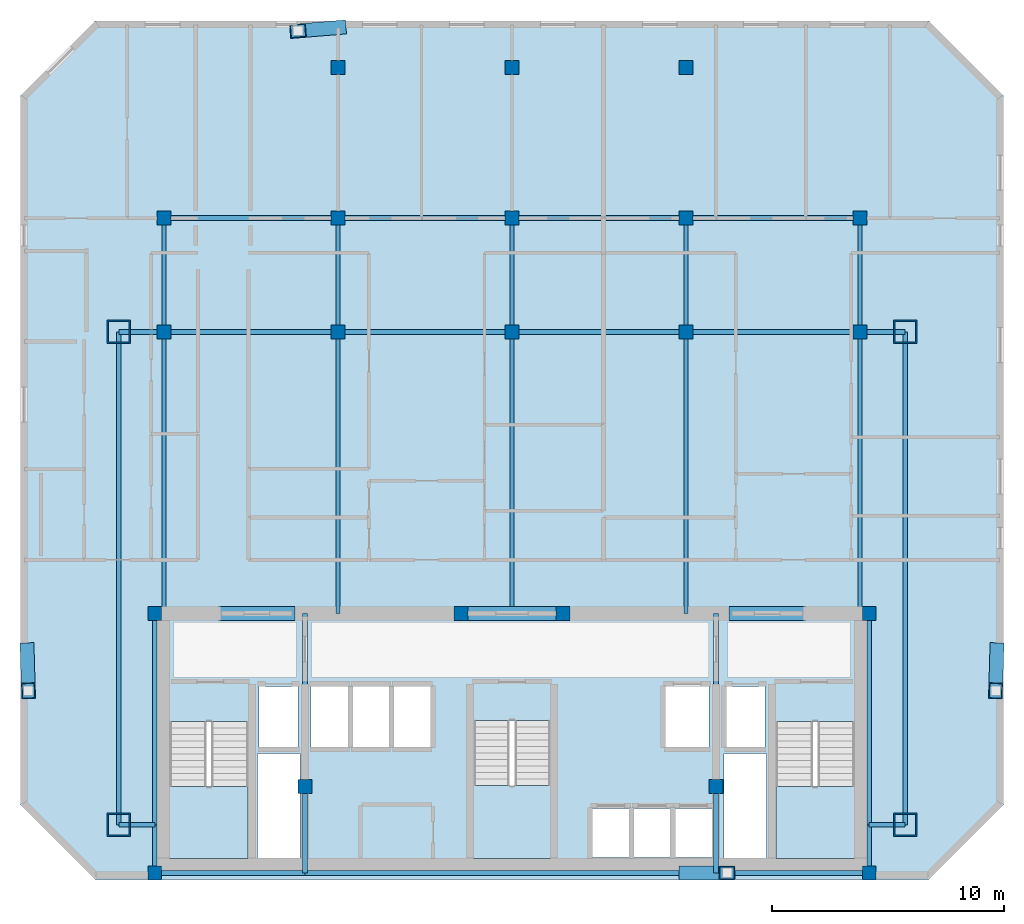
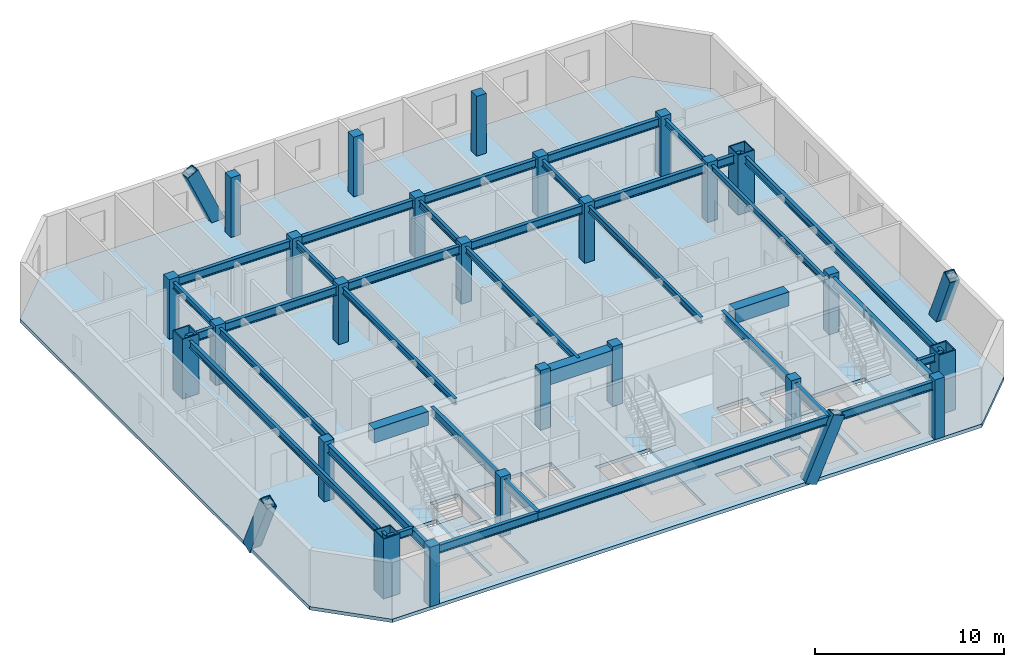
# One storey, part 1 of 7: 38 beams, 25 columns, 4 members, 4 slabs, 3 elements without a shape of their own.
"""IFC4 building model written with IfcOpenShell, lengths in metres."""

import ifcopenshell
import ifcopenshell.guid

model = None  # the IFC model being written
_history = None  # IfcOwnerHistory: only IFC2X3 demands one
_inside = {}  # id of a spatial element -> (the spatial element, [elements in it])
_under = {}  # id of a project, library or spatial element -> (it, [spatial elements below it])
_declared = {}  # id of a project -> (the project, [libraries it declares])
_typed = {}  # id of a type object -> (the type object, [elements of that type])
_made_of = {}  # id of a material, layer set ... -> (it, [elements and type objects made of it])


def new_model(schema):
    """Start an empty IFC model of exactly this schema.

    Asked for "IFC4X3", IfcOpenShell would pick the latest addendum, in which some entities
    have other attributes; the version numbers below select the first issue.
    IFC2X3 requires an IfcOwnerHistory on every rooted entity: one is made here for all.
    """
    global model, _history
    if schema == "IFC4X3":
        model = ifcopenshell.file(schema_version=(4, 3, 0, 0))
    else:
        model = ifcopenshell.file(schema=schema)
    _inside.clear()
    _under.clear()
    _declared.clear()
    _typed.clear()
    _made_of.clear()
    _history = None
    if model.schema == "IFC2X3":
        org = make("IfcOrganization", Name="unknown")
        user = make(
            "IfcPersonAndOrganization",
            ThePerson=make("IfcPerson", FamilyName="unknown"),
            TheOrganization=org,
        )
        app = make(
            "IfcApplication",
            ApplicationDeveloper=org,
            Version="unknown",
            ApplicationFullName="unknown",
            ApplicationIdentifier="unknown",
        )
        _history = make(
            "IfcOwnerHistory",
            OwningUser=user,
            OwningApplication=app,
            ChangeAction="ADDED",
            CreationDate=0,
        )
    return model


def make(cls, **values):
    """One entity of the class cls with the attributes given. An attribute that is None is left unset."""
    return model.create_entity(
        cls, **{name: value for name, value in values.items() if value is not None}
    )


def rooted(cls, **values):
    """An entity with a GlobalId (a new one), such as an element, a storey or a relation."""
    return make(cls, GlobalId=ifcopenshell.guid.new(), OwnerHistory=_history, **values)


def si_unit(unit_type, name, prefix=None):
    """IfcSIUnit, for example si_unit("LENGTHUNIT", "METRE", prefix="MILLI")."""
    return make("IfcSIUnit", UnitType=unit_type, Prefix=prefix, Name=name)


def assignment(units):
    """IfcUnitAssignment: the units of a project."""
    return None if units is None else make("IfcUnitAssignment", Units=units)


def point(xyz):
    """IfcCartesianPoint."""
    return None if xyz is None else make("IfcCartesianPoint", Coordinates=xyz)


def direction(xyz):
    """IfcDirection."""
    return None if xyz is None else make("IfcDirection", DirectionRatios=xyz)


def frame(location, z_axis=None, x_axis=None):
    """IfcAxis2Placement3D, a coordinate frame: its origin and axes. An axis left out is left unset."""
    return make(
        "IfcAxis2Placement3D",
        Location=point(location),
        Axis=direction(z_axis),
        RefDirection=direction(x_axis),
    )


def frame_2d(location, x_axis=None):
    """IfcAxis2Placement2D, a coordinate frame in the plane: its origin and x axis."""
    return make(
        "IfcAxis2Placement2D", Location=point(location), RefDirection=direction(x_axis)
    )


def origin():
    """The frame at (0, 0, 0) with its axes left unset."""
    return frame((0.0, 0.0, 0.0))


def origin_2d():
    """The frame at (0, 0) in the plane with its x axis left unset."""
    return frame_2d((0.0, 0.0))


def place(relative_to, where):
    """IfcLocalPlacement: puts the frame where relative to a parent placement (None: the world)."""
    return make(
        "IfcLocalPlacement", PlacementRelTo=relative_to, RelativePlacement=where
    )


def context(
    kind, dimensions, precision=None, world=None, true_north=None, identifier=None
):
    """IfcGeometricRepresentationContext, for example the 3D "Model" context."""
    return make(
        "IfcGeometricRepresentationContext",
        ContextIdentifier=identifier,
        ContextType=kind,
        CoordinateSpaceDimension=dimensions,
        Precision=precision,
        WorldCoordinateSystem=world,
        TrueNorth=true_north,
    )


def subcontext(parent, identifier, kind, view, scale=None):
    """IfcGeometricRepresentationSubContext, for example "Body" below "Model"."""
    return make(
        "IfcGeometricRepresentationSubContext",
        ContextIdentifier=identifier,
        ContextType=kind,
        ParentContext=parent,
        TargetScale=scale,
        TargetView=view,
    )


def project(units=None, contexts=None):
    """IfcProject with its units and contexts."""
    return rooted(
        "IfcProject",
        Name="project",
        RepresentationContexts=contexts,
        UnitsInContext=assignment(units),
    )


def spatial(cls, under=None, at=None, **own):
    """A site, building, storey or space (cls), placed at a placement, below another one or the project."""
    s = rooted(cls, ObjectPlacement=at, **own)
    if under is not None:
        _under.setdefault(under.id(), (under, []))[1].append(s)
    return s


def polyline(points):
    """IfcPolyline through the points."""
    return make("IfcPolyline", Points=[point(p) for p in points])


def profile(cls, at=None, kind="AREA", **sizes):
    """A parametric profile (cls). Its sizes go by their IFC names, for example OverallWidth=200.0."""
    return make(cls, ProfileType=kind, Position=at, **sizes)


def rectangle(**sizes):
    """IfcRectangleProfileDef."""
    return profile("IfcRectangleProfileDef", **sizes)


def hollow_rectangle(**sizes):
    """IfcRectangleHollowProfileDef."""
    return profile("IfcRectangleHollowProfileDef", **sizes)


def i_section(**sizes):
    """IfcIShapeProfileDef."""
    return profile("IfcIShapeProfileDef", **sizes)


def outline(outer, holes=None, kind="AREA"):
    """IfcArbitraryClosedProfileDef: a profile drawn as a closed curve; with holes, ...WithVoids."""
    if holes is None:
        return make("IfcArbitraryClosedProfileDef", ProfileType=kind, OuterCurve=outer)
    return make(
        "IfcArbitraryProfileDefWithVoids",
        ProfileType=kind,
        OuterCurve=outer,
        InnerCurves=holes,
    )


def extrude(swept, where, along, depth):
    """IfcExtrudedAreaSolid: the profile swept, set in the frame where, extruded along a direction by depth."""
    return make(
        "IfcExtrudedAreaSolid",
        SweptArea=swept,
        Position=where,
        ExtrudedDirection=direction(along),
        Depth=depth,
    )


def shape(context_of_items, identifier, shape_type, items):
    """IfcShapeRepresentation: the items that make up one representation, for example the "Body"."""
    return make(
        "IfcShapeRepresentation",
        ContextOfItems=context_of_items,
        RepresentationIdentifier=identifier,
        RepresentationType=shape_type,
        Items=items,
    )


def material(Name=None, Category=None):
    """IfcMaterial."""
    return make("IfcMaterial", Name=Name, Category=Category)


def layer(
    of_material, thickness, ventilated=None, Name=None, Category=None, Priority=None
):
    """IfcMaterialLayer: one layer of a wall or slab, of a material (None: an air gap)."""
    return make(
        "IfcMaterialLayer",
        Material=of_material,
        LayerThickness=thickness,
        IsVentilated=ventilated,
        Name=Name,
        Category=Category,
        Priority=Priority,
    )


def layer_set(layers, Name=None):
    """IfcMaterialLayerSet."""
    return make("IfcMaterialLayerSet", MaterialLayers=layers, LayerSetName=Name)


def material_profile(
    of_material, cross_section, Name=None, Category=None, Priority=None
):
    """IfcMaterialProfile: a cross section and its material."""
    return make(
        "IfcMaterialProfile",
        Name=Name,
        Material=of_material,
        Profile=cross_section,
        Priority=Priority,
        Category=Category,
    )


def profile_set(profiles, Name=None, composite=None):
    """IfcMaterialProfileSet."""
    return make(
        "IfcMaterialProfileSet",
        Name=Name,
        MaterialProfiles=profiles,
        CompositeProfile=composite,
    )


def made_of(thing, what):
    """Note that an element or type object is made of a material, layer set ...; save() writes the relation."""
    if what is not None:
        _made_of.setdefault(what.id(), (what, []))[1].append(thing)
    return thing


def type_object(cls, material=None, **own):
    """A type object (cls), such as IfcWallType, which elements share."""
    return made_of(rooted(cls, **own), material)


def element(
    cls,
    number,
    at=None,
    inside=None,
    cuts=None,
    type_object=None,
    material=None,
    context=None,
    identifier="Body",
    shape_type=None,
    held_by="IfcProductDefinitionShape",
    body=None,
    shapes=None,
    **own,
):
    """One element of the class cls, such as IfcWall. Its Tag is "e" and its number.

    at: its placement. inside: the storey or other place that contains it. cuts: it is an
    opening in that element (IfcRelVoidsElement). A single representation is given by context,
    identifier, shape_type and body (its items); several are given by shapes. held_by: the class
    of the entity that holds the representations. save() writes the other relations.
    """
    e = rooted(cls, Tag="e%d" % number, ObjectPlacement=at, **own)
    if body is not None:
        shapes = [shape(context, identifier, shape_type, body)]
    if shapes is not None:
        e.Representation = make(held_by, Representations=shapes)
    if inside is not None:
        _inside.setdefault(inside.id(), (inside, []))[1].append(e)
    if cuts is not None:
        rooted(
            "IfcRelVoidsElement", RelatingBuildingElement=cuts, RelatedOpeningElement=e
        )
    if type_object is not None:
        _typed.setdefault(type_object.id(), (type_object, []))[1].append(e)
    return made_of(e, material)


def aggregate(whole, parts):
    """IfcRelAggregates: a whole, such as a stair, and the parts it consists of."""
    return rooted("IfcRelAggregates", RelatingObject=whole, RelatedObjects=parts)


def save(model, path):
    """Write the relations noted so far, then the file.

    IfcRelAggregates (storeys below a building ...), IfcRelContainedInSpatialStructure (elements
    in a storey), IfcRelDefinesByType, IfcRelAssociatesMaterial and IfcRelDeclares: one each for
    every whole, place, type object, material and project.
    """
    for whole, parts in _under.values():
        aggregate(whole, parts)
    for where, things in _inside.values():
        rooted(
            "IfcRelContainedInSpatialStructure",
            RelatedElements=things,
            RelatingStructure=where,
        )
    for kind, things in _typed.values():
        rooted("IfcRelDefinesByType", RelatedObjects=things, RelatingType=kind)
    for what, things in _made_of.values():
        rooted("IfcRelAssociatesMaterial", RelatedObjects=things, RelatingMaterial=what)
    for by, libraries in _declared.values():
        rooted("IfcRelDeclares", RelatingContext=by, RelatedDefinitions=libraries)
    model.write(path)


model = new_model("IFC4")

# Units and contexts
model_context = context("Model", 3, precision=1e-05, world=origin(), true_north=direction((0.0, 1.0)))
body_context = subcontext(model_context, "Body", "Model", "MODEL_VIEW")
ifc_project = project(units=[si_unit("LENGTHUNIT", "METRE"), si_unit("AREAUNIT", "SQUARE_METRE"), si_unit("VOLUMEUNIT", "CUBIC_METRE"), si_unit("PLANEANGLEUNIT", "RADIAN"), si_unit("MASSUNIT", "GRAM", prefix="KILO")], contexts=[model_context])

# Site, building, storey
site_placement = place(None, origin())
site = spatial("IfcSite", under=ifc_project, at=site_placement, CompositionType="ELEMENT")
building_placement = place(site_placement, origin())
building = spatial("IfcBuilding", under=site, at=building_placement, Name="Ventersveld Concourse Tower", CompositionType="ELEMENT")
storey_placement = place(building_placement, frame((0.0, 0.0, 234.949951171875)))
storey = spatial("IfcBuildingStorey", under=building, at=storey_placement, Name="L58", CompositionType="ELEMENT", Elevation=234.949951171875)

# Columns
ifc_material_1 = material(Name="Concrete C50/60", Category="concrete")
ifc_material_profile_1 = material_profile(ifc_material_1, rectangle(XDim=0.60009765625, YDim=0.60009765625, at=origin_2d()), Name="RC 600x600")
ifc_profile_set_1 = profile_set([ifc_material_profile_1], Name="Concrete C50/60")
column_type_1 = type_object("IfcColumnType", Name="COL-RC600", PredefinedType="COLUMN", material=ifc_profile_set_1)
for number, where, z_axis, x_axis, name in (
    (1, (13.35009765625, 0.280029296875, 0.0), (0.0, 0.0, 1.0), (1.0, 0.0, 0.0), "L58 Core Spine Column CC-SW"),
    (2, (44.14990234375, 0.280029296875, 0.0), (0.0, 0.0, 1.0), (1.0, 0.0, 0.0), "L58 Core Spine Column CC-SE"),
    (3, (13.35009765625, 11.449951171875, 0.0), (0.0, 0.0, 1.0), (1.0, 0.0, 0.0), "L58 Core Spine Column CC-NW"),
    (4, (44.14990234375, 11.449951171875, 0.0), (0.0, 0.0, 1.0), (1.0, 0.0, 0.0), "L58 Core Spine Column CC-NE"),
    (5, (19.820068359375, 4.0, 0.0), (0.0, 0.0, 1.0), (1.0, 0.0, 0.0), "L58 Core Spine Column CM-1"),
    (6, (37.550048828125, 4.0, 0.0), (0.0, 0.0, 1.0), (1.0, 0.0, 0.0), "L58 Core Spine Column CM-2"),
    (7, (26.550048828125, 11.449951171875, 0.0), (0.0, 0.0, 1.0), (1.0, 0.0, 0.0), "L58 Core Spine Column CM-3"),
    (8, (30.949951171875, 11.449951171875, 0.0), (0.0, 0.0, 1.0), (1.0, 0.0, 0.0), "L58 Core Spine Column CM-4"),
    (9, (13.75, 23.60009765625, 0.0), (0.0, 0.0, 1.0), (1.0, 0.0, 0.0), "L58 Interior Gravity Column X=13.75 Y=23.60"),
    (10, (21.25, 23.60009765625, 0.0), (0.0, 0.0, 1.0), (1.0, 0.0, 0.0), "L58 Interior Gravity Column X=21.25 Y=23.60"),
    (11, (28.75, 23.60009765625, 0.0), (0.0, 0.0, 1.0), (1.0, 0.0, 0.0), "L58 Interior Gravity Column X=28.75 Y=23.60"),
    (12, (36.25, 23.60009765625, 0.0), (0.0, 0.0, 1.0), (1.0, 0.0, 0.0), "L58 Interior Gravity Column X=36.25 Y=23.60"),
    (13, (43.75, 23.60009765625, 0.0), (0.0, 0.0, 1.0), (1.0, 0.0, 0.0), "L58 Interior Gravity Column X=43.75 Y=23.60"),
    (14, (13.75, 28.5, 0.0), (0.0, 0.0, 1.0), (1.0, 0.0, 0.0), "L58 Upper-North Gravity Column X=13.75 Y=28.50"),
    (15, (21.25, 28.5, 0.0), (0.0, 0.0, 1.0), (1.0, 0.0, 0.0), "L58 Upper-North Gravity Column X=21.25 Y=28.50"),
    (16, (28.75, 28.5, 0.0), (0.0, 0.0, 1.0), (1.0, 0.0, 0.0), "L58 Upper-North Gravity Column X=28.75 Y=28.50"),
    (17, (36.25, 28.5, 0.0), (0.0, 0.0, 1.0), (1.0, 0.0, 0.0), "L58 Upper-North Gravity Column X=36.25 Y=28.50"),
    (18, (43.75, 28.5, 0.0), (0.0, 0.0, 1.0), (1.0, 0.0, 0.0), "L58 Upper-North Gravity Column X=43.75 Y=28.50"),
    (19, (21.25, 35.0, 0.0), (0.0, 0.0, 1.0), (1.0, 0.0, 0.0), "L58 Mid-North Column X=21.25 Y=35.00"),
    (20, (28.75, 35.0, 0.0), (0.0, 0.0, 1.0), (1.0, 0.0, 0.0), "L58 Mid-North Column X=28.75 Y=35.00"),
    (21, (36.25, 35.0, 0.0), (0.0, 0.0, 1.0), (1.0, 0.0, 0.0), "L58 Mid-North Column X=36.25 Y=35.00"),
):
    element("IfcColumn", number, at=place(storey_placement, frame(where, z_axis=z_axis, x_axis=x_axis)), inside=storey, type_object=column_type_1, Name=name, PredefinedType="COLUMN", context=body_context, shape_type="SweptSolid", body=[
        extrude(rectangle(XDim=0.60009765625, YDim=0.60009765625, at=origin_2d()), origin(), (0.0, 0.0, 1.0), 3.85009765625),
    ])
ifc_material_2 = material(Name="Structural steel S460ML", Category="steel")
ifc_material_profile_2 = material_profile(ifc_material_2, hollow_rectangle(XDim=1.0, YDim=1.0, WallThickness=0.06005859375, at=origin_2d()), Name="BOX 1000x1000x60")
ifc_profile_set_2 = profile_set([ifc_material_profile_2], Name="Structural steel S460ML")
column_type_2 = type_object("IfcColumnType", Name="MC-1000", PredefinedType="USERDEFINED", material=ifc_profile_set_2)
for number, where, z_axis, x_axis, name in (
    (22, (11.800048828125, 2.35009765625, 0.0), (0.0, 0.0, 1.0), (1.0, 0.0, 0.0), "L58 Corner Mega-Column MC-SW"),
    (23, (45.699951171875, 2.35009765625, 0.0), (0.0, 0.0, 1.0), (1.0, 0.0, 0.0), "L58 Corner Mega-Column MC-SE"),
    (24, (45.699951171875, 23.60009765625, 0.0), (0.0, 0.0, 1.0), (1.0, 0.0, 0.0), "L58 Corner Mega-Column MC-NE"),
    (25, (11.800048828125, 23.60009765625, 0.0), (0.0, 0.0, 1.0), (1.0, 0.0, 0.0), "L58 Corner Mega-Column MC-NW"),
):
    element("IfcColumn", number, at=place(storey_placement, frame(where, z_axis=z_axis, x_axis=x_axis)), inside=storey, type_object=column_type_2, Name=name, ObjectType="MEGA_COLUMN", PredefinedType="USERDEFINED", context=body_context, shape_type="SweptSolid", body=[
        extrude(hollow_rectangle(XDim=1.0, YDim=1.0, WallThickness=0.06005859375, at=origin_2d()), origin(), (0.0, 0.0, 1.0), 3.85009765625),
    ])

# Beams
ifc_material_3 = material(Name="Structural steel S355J2", Category="steel")
ifc_material_profile_3 = material_profile(ifc_material_3, i_section(OverallWidth=0.177978515625, OverallDepth=0.406494140625, WebThickness=0.0078125, FlangeThickness=0.0126953125, FilletRadius=0.01025390625, at=origin_2d()), Name="UB 406x178x60")
ifc_profile_set_3 = profile_set([ifc_material_profile_3], Name="Structural steel S355J2")
beam_type_1 = type_object("IfcBeamType", Name="BM-UB406", PredefinedType="BEAM", material=ifc_profile_set_3)
beam_1_placement = place(storey_placement, frame((13.75, 11.449951171875, 3.4267578125), z_axis=(0.0, 1.0, 0.0), x_axis=(-1.0, 0.0, 0.0)))
element("IfcBeam", 26, at=beam_1_placement, inside=storey, type_object=beam_type_1, Name="L58 N-S Composite Floor Beam South X=13.75", PredefinedType="BEAM", context=body_context, shape_type="SweptSolid", body=[
    extrude(i_section(OverallWidth=0.177978515625, OverallDepth=0.406494140625, WebThickness=0.0078125, FlangeThickness=0.0126953125, FilletRadius=0.01025390625, at=origin_2d()), origin(), (0.0, 0.0, 1.0), 12.150146484375),
])
beam_2_placement = place(storey_placement, frame((13.75, 23.60009765625, 3.4267578125), z_axis=(0.0, 1.0, 0.0), x_axis=(-1.0, 0.0, 0.0)))
element("IfcBeam", 27, at=beam_2_placement, inside=storey, type_object=beam_type_1, Name="L58 N-S Upper-Zone Floor Beam X=13.75", PredefinedType="BEAM", context=body_context, shape_type="SweptSolid", body=[
    extrude(i_section(OverallWidth=0.177978515625, OverallDepth=0.406494140625, WebThickness=0.0078125, FlangeThickness=0.0126953125, FilletRadius=0.01025390625, at=origin_2d()), origin(), (0.0, 0.0, 1.0), 4.89990234375),
])
beam_3_placement = place(storey_placement, frame((21.25, 11.449951171875, 3.4267578125), z_axis=(0.0, 1.0, 0.0), x_axis=(-1.0, 0.0, 0.0)))
element("IfcBeam", 28, at=beam_3_placement, inside=storey, type_object=beam_type_1, Name="L58 N-S Composite Floor Beam South X=21.25", PredefinedType="BEAM", context=body_context, shape_type="SweptSolid", body=[
    extrude(i_section(OverallWidth=0.177978515625, OverallDepth=0.406494140625, WebThickness=0.0078125, FlangeThickness=0.0126953125, FilletRadius=0.01025390625, at=origin_2d()), origin(), (0.0, 0.0, 1.0), 12.150146484375),
])
beam_4_placement = place(storey_placement, frame((21.25, 23.60009765625, 3.4267578125), z_axis=(0.0, 1.0, 0.0), x_axis=(-1.0, 0.0, 0.0)))
element("IfcBeam", 29, at=beam_4_placement, inside=storey, type_object=beam_type_1, Name="L58 N-S Upper-Zone Floor Beam X=21.25", PredefinedType="BEAM", context=body_context, shape_type="SweptSolid", body=[
    extrude(i_section(OverallWidth=0.177978515625, OverallDepth=0.406494140625, WebThickness=0.0078125, FlangeThickness=0.0126953125, FilletRadius=0.01025390625, at=origin_2d()), origin(), (0.0, 0.0, 1.0), 4.89990234375),
])
beam_5_placement = place(storey_placement, frame((28.75, 11.449951171875, 3.4267578125), z_axis=(0.0, 1.0, 0.0), x_axis=(-1.0, 0.0, 0.0)))
element("IfcBeam", 30, at=beam_5_placement, inside=storey, type_object=beam_type_1, Name="L58 N-S Composite Floor Beam South X=28.75", PredefinedType="BEAM", context=body_context, shape_type="SweptSolid", body=[
    extrude(i_section(OverallWidth=0.177978515625, OverallDepth=0.406494140625, WebThickness=0.0078125, FlangeThickness=0.0126953125, FilletRadius=0.01025390625, at=origin_2d()), origin(), (0.0, 0.0, 1.0), 12.150146484375),
])
beam_6_placement = place(storey_placement, frame((28.75, 23.60009765625, 3.4267578125), z_axis=(0.0, 1.0, 0.0), x_axis=(-1.0, 0.0, 0.0)))
element("IfcBeam", 31, at=beam_6_placement, inside=storey, type_object=beam_type_1, Name="L58 N-S Upper-Zone Floor Beam X=28.75", PredefinedType="BEAM", context=body_context, shape_type="SweptSolid", body=[
    extrude(i_section(OverallWidth=0.177978515625, OverallDepth=0.406494140625, WebThickness=0.0078125, FlangeThickness=0.0126953125, FilletRadius=0.01025390625, at=origin_2d()), origin(), (0.0, 0.0, 1.0), 4.89990234375),
])
beam_7_placement = place(storey_placement, frame((36.25, 11.449951171875, 3.4267578125), z_axis=(0.0, 1.0, 0.0), x_axis=(-1.0, 0.0, 0.0)))
element("IfcBeam", 32, at=beam_7_placement, inside=storey, type_object=beam_type_1, Name="L58 N-S Composite Floor Beam South X=36.25", PredefinedType="BEAM", context=body_context, shape_type="SweptSolid", body=[
    extrude(i_section(OverallWidth=0.177978515625, OverallDepth=0.406494140625, WebThickness=0.0078125, FlangeThickness=0.0126953125, FilletRadius=0.01025390625, at=origin_2d()), origin(), (0.0, 0.0, 1.0), 12.150146484375),
])
beam_8_placement = place(storey_placement, frame((36.25, 23.60009765625, 3.4267578125), z_axis=(0.0, 1.0, 0.0), x_axis=(-1.0, 0.0, 0.0)))
element("IfcBeam", 33, at=beam_8_placement, inside=storey, type_object=beam_type_1, Name="L58 N-S Upper-Zone Floor Beam X=36.25", PredefinedType="BEAM", context=body_context, shape_type="SweptSolid", body=[
    extrude(i_section(OverallWidth=0.177978515625, OverallDepth=0.406494140625, WebThickness=0.0078125, FlangeThickness=0.0126953125, FilletRadius=0.01025390625, at=origin_2d()), origin(), (0.0, 0.0, 1.0), 4.89990234375),
])
beam_9_placement = place(storey_placement, frame((43.75, 11.449951171875, 3.4267578125), z_axis=(0.0, 1.0, 0.0), x_axis=(-1.0, 0.0, 0.0)))
element("IfcBeam", 34, at=beam_9_placement, inside=storey, type_object=beam_type_1, Name="L58 N-S Composite Floor Beam South X=43.75", PredefinedType="BEAM", context=body_context, shape_type="SweptSolid", body=[
    extrude(i_section(OverallWidth=0.177978515625, OverallDepth=0.406494140625, WebThickness=0.0078125, FlangeThickness=0.0126953125, FilletRadius=0.01025390625, at=origin_2d()), origin(), (0.0, 0.0, 1.0), 12.150146484375),
])
beam_10_placement = place(storey_placement, frame((43.75, 23.60009765625, 3.4267578125), z_axis=(0.0, 1.0, 0.0), x_axis=(-1.0, 0.0, 0.0)))
element("IfcBeam", 35, at=beam_10_placement, inside=storey, type_object=beam_type_1, Name="L58 N-S Upper-Zone Floor Beam X=43.75", PredefinedType="BEAM", context=body_context, shape_type="SweptSolid", body=[
    extrude(i_section(OverallWidth=0.177978515625, OverallDepth=0.406494140625, WebThickness=0.0078125, FlangeThickness=0.0126953125, FilletRadius=0.01025390625, at=origin_2d()), origin(), (0.0, 0.0, 1.0), 4.89990234375),
])
ifc_material_profile_4 = material_profile(ifc_material_1, rectangle(XDim=0.60009765625, YDim=0.89990234375, at=origin_2d()), Name="RC 600x900")
ifc_profile_set_4 = profile_set([ifc_material_profile_4], Name="Concrete C50/60")
beam_type_2 = type_object("IfcBeamType", Name="CB-RC600x900U", PredefinedType="LINTEL", material=ifc_profile_set_4)
beam_11_placement = place(storey_placement, frame((16.10009765625, 11.449951171875, 3.179931640625), z_axis=(1.0, 0.0, 0.0), x_axis=(0.0, 1.0, 0.0)))
element("IfcBeam", 36, at=beam_11_placement, inside=storey, type_object=beam_type_2, Name="L58 Core Coupling Lintel Beam 1", PredefinedType="LINTEL", context=body_context, shape_type="SweptSolid", body=[
    extrude(rectangle(XDim=0.60009765625, YDim=0.89990234375, at=origin_2d()), origin(), (0.0, 0.0, 1.0), 3.2998046875),
])
beam_12_placement = place(storey_placement, frame((26.5, 11.449951171875, 3.179931640625), z_axis=(1.0, 0.0, 0.0), x_axis=(0.0, 1.0, 0.0)))
element("IfcBeam", 37, at=beam_12_placement, inside=storey, type_object=beam_type_2, Name="L58 Core Coupling Lintel Beam 2", PredefinedType="LINTEL", context=body_context, shape_type="SweptSolid", body=[
    extrude(rectangle(XDim=0.60009765625, YDim=0.89990234375, at=origin_2d()), origin(), (0.0, 0.0, 1.0), 4.5),
])
beam_13_placement = place(storey_placement, frame((38.10009765625, 11.449951171875, 3.179931640625), z_axis=(1.0, 0.0, 0.0), x_axis=(0.0, 1.0, 0.0)))
element("IfcBeam", 38, at=beam_13_placement, inside=storey, type_object=beam_type_2, Name="L58 Core Coupling Lintel Beam 3", PredefinedType="LINTEL", context=body_context, shape_type="SweptSolid", body=[
    extrude(rectangle(XDim=0.60009765625, YDim=0.89990234375, at=origin_2d()), origin(), (0.0, 0.0, 1.0), 3.2998046875),
])
ifc_material_profile_5 = material_profile(ifc_material_3, i_section(OverallWidth=0.2119140625, OverallDepth=0.54443359375, WebThickness=0.0126953125, FlangeThickness=0.021240234375, FilletRadius=0.0126953125, at=origin_2d()), Name="UB 533x210x122")
ifc_profile_set_5 = profile_set([ifc_material_profile_5], Name="Structural steel S355J2")
beam_type_3 = type_object("IfcBeamType", Name="GRD-UB533H", PredefinedType="T_BEAM", material=ifc_profile_set_5)
beam_14_placement = place(storey_placement, frame((13.35009765625, 0.280029296875, 3.357666015625), z_axis=(0.0, 1.0, 0.0), x_axis=(-1.0, 0.0, 0.0)))
element("IfcBeam", 39, at=beam_14_placement, inside=storey, type_object=beam_type_3, Name="L58 Core West Tie Beam S", PredefinedType="T_BEAM", context=body_context, shape_type="SweptSolid", body=[
    extrude(i_section(OverallWidth=0.2119140625, OverallDepth=0.54443359375, WebThickness=0.0126953125, FlangeThickness=0.021240234375, FilletRadius=0.0126953125, at=origin_2d()), origin(), (0.0, 0.0, 1.0), 2.070068359375),
])
beam_15_placement = place(storey_placement, frame((13.35009765625, 2.35009765625, 3.357666015625), z_axis=(0.0, 1.0, 0.0), x_axis=(-1.0, 0.0, 0.0)))
element("IfcBeam", 40, at=beam_15_placement, inside=storey, type_object=beam_type_3, Name="L58 Core West Tie Beam N", PredefinedType="T_BEAM", context=body_context, shape_type="SweptSolid", body=[
    extrude(i_section(OverallWidth=0.2119140625, OverallDepth=0.54443359375, WebThickness=0.0126953125, FlangeThickness=0.021240234375, FilletRadius=0.0126953125, at=origin_2d()), origin(), (0.0, 0.0, 1.0), 9.099853515625),
])
beam_16_placement = place(storey_placement, frame((44.14990234375, 0.280029296875, 3.357666015625), z_axis=(0.0, 1.0, 0.0), x_axis=(-1.0, 0.0, 0.0)))
element("IfcBeam", 41, at=beam_16_placement, inside=storey, type_object=beam_type_3, Name="L58 Core East Tie Beam S", PredefinedType="T_BEAM", context=body_context, shape_type="SweptSolid", body=[
    extrude(i_section(OverallWidth=0.2119140625, OverallDepth=0.54443359375, WebThickness=0.0126953125, FlangeThickness=0.021240234375, FilletRadius=0.0126953125, at=origin_2d()), origin(), (0.0, 0.0, 1.0), 2.070068359375),
])
beam_17_placement = place(storey_placement, frame((44.14990234375, 2.35009765625, 3.357666015625), z_axis=(0.0, 1.0, 0.0), x_axis=(-1.0, 0.0, 0.0)))
element("IfcBeam", 42, at=beam_17_placement, inside=storey, type_object=beam_type_3, Name="L58 Core East Tie Beam N", PredefinedType="T_BEAM", context=body_context, shape_type="SweptSolid", body=[
    extrude(i_section(OverallWidth=0.2119140625, OverallDepth=0.54443359375, WebThickness=0.0126953125, FlangeThickness=0.021240234375, FilletRadius=0.0126953125, at=origin_2d()), origin(), (0.0, 0.0, 1.0), 9.099853515625),
])
beam_18_placement = place(storey_placement, frame((13.35009765625, 0.280029296875, 3.357666015625), z_axis=(1.0, 0.0, 0.0), x_axis=(0.0, 1.0, 0.0)))
element("IfcBeam", 43, at=beam_18_placement, inside=storey, type_object=beam_type_3, Name="L58 Core South Tie Beam W", PredefinedType="T_BEAM", context=body_context, shape_type="SweptSolid", body=[
    extrude(i_section(OverallWidth=0.2119140625, OverallDepth=0.54443359375, WebThickness=0.0126953125, FlangeThickness=0.021240234375, FilletRadius=0.0126953125, at=origin_2d()), origin(), (0.0, 0.0, 1.0), 6.469970703125),
])
beam_19_placement = place(storey_placement, frame((19.820068359375, 0.280029296875, 3.357666015625), z_axis=(1.0, 0.0, 0.0), x_axis=(0.0, 1.0, 0.0)))
element("IfcBeam", 44, at=beam_19_placement, inside=storey, type_object=beam_type_3, Name="L58 Core South Tie Beam C", PredefinedType="T_BEAM", context=body_context, shape_type="SweptSolid", body=[
    extrude(i_section(OverallWidth=0.2119140625, OverallDepth=0.54443359375, WebThickness=0.0126953125, FlangeThickness=0.021240234375, FilletRadius=0.0126953125, at=origin_2d()), origin(), (0.0, 0.0, 1.0), 17.72998046875),
])
beam_20_placement = place(storey_placement, frame((37.550048828125, 0.280029296875, 3.357666015625), z_axis=(1.0, 0.0, 0.0), x_axis=(0.0, 1.0, 0.0)))
element("IfcBeam", 45, at=beam_20_placement, inside=storey, type_object=beam_type_3, Name="L58 Core South Tie Beam E", PredefinedType="T_BEAM", context=body_context, shape_type="SweptSolid", body=[
    extrude(i_section(OverallWidth=0.2119140625, OverallDepth=0.54443359375, WebThickness=0.0126953125, FlangeThickness=0.021240234375, FilletRadius=0.0126953125, at=origin_2d()), origin(), (0.0, 0.0, 1.0), 6.599853515625),
])
beam_21_placement = place(storey_placement, frame((19.820068359375, 0.280029296875, 3.357666015625), z_axis=(0.0, 1.0, 0.0), x_axis=(-1.0, 0.0, 0.0)))
element("IfcBeam", 46, at=beam_21_placement, inside=storey, type_object=beam_type_3, Name="L58 Core Spine N-S Tie Beam W1", PredefinedType="T_BEAM", context=body_context, shape_type="SweptSolid", body=[
    extrude(i_section(OverallWidth=0.2119140625, OverallDepth=0.54443359375, WebThickness=0.0126953125, FlangeThickness=0.021240234375, FilletRadius=0.0126953125, at=origin_2d()), origin(), (0.0, 0.0, 1.0), 3.719970703125),
])
beam_22_placement = place(storey_placement, frame((19.820068359375, 4.0, 3.357666015625), z_axis=(0.0, 1.0, 0.0), x_axis=(-1.0, 0.0, 0.0)))
element("IfcBeam", 47, at=beam_22_placement, inside=storey, type_object=beam_type_3, Name="L58 Core Spine N-S Tie Beam W2", PredefinedType="T_BEAM", context=body_context, shape_type="SweptSolid", body=[
    extrude(i_section(OverallWidth=0.2119140625, OverallDepth=0.54443359375, WebThickness=0.0126953125, FlangeThickness=0.021240234375, FilletRadius=0.0126953125, at=origin_2d()), origin(), (0.0, 0.0, 1.0), 7.449951171875),
])
beam_23_placement = place(storey_placement, frame((37.550048828125, 0.280029296875, 3.357666015625), z_axis=(0.0, 1.0, 0.0), x_axis=(-1.0, 0.0, 0.0)))
element("IfcBeam", 48, at=beam_23_placement, inside=storey, type_object=beam_type_3, Name="L58 Core Spine N-S Tie Beam E1", PredefinedType="T_BEAM", context=body_context, shape_type="SweptSolid", body=[
    extrude(i_section(OverallWidth=0.2119140625, OverallDepth=0.54443359375, WebThickness=0.0126953125, FlangeThickness=0.021240234375, FilletRadius=0.0126953125, at=origin_2d()), origin(), (0.0, 0.0, 1.0), 3.719970703125),
])
beam_24_placement = place(storey_placement, frame((37.550048828125, 4.0, 3.357666015625), z_axis=(0.0, 1.0, 0.0), x_axis=(-1.0, 0.0, 0.0)))
element("IfcBeam", 49, at=beam_24_placement, inside=storey, type_object=beam_type_3, Name="L58 Core Spine N-S Tie Beam E2", PredefinedType="T_BEAM", context=body_context, shape_type="SweptSolid", body=[
    extrude(i_section(OverallWidth=0.2119140625, OverallDepth=0.54443359375, WebThickness=0.0126953125, FlangeThickness=0.021240234375, FilletRadius=0.0126953125, at=origin_2d()), origin(), (0.0, 0.0, 1.0), 7.449951171875),
])
beam_25_placement = place(storey_placement, frame((11.800048828125, 23.60009765625, 3.357666015625), z_axis=(1.0, 0.0, 0.0), x_axis=(0.0, 1.0, 0.0)))
element("IfcBeam", 50, at=beam_25_placement, inside=storey, type_object=beam_type_3, Name="L58 Primary E-W Grid Girder Y=23.60 #1", PredefinedType="T_BEAM", context=body_context, shape_type="SweptSolid", body=[
    extrude(i_section(OverallWidth=0.2119140625, OverallDepth=0.54443359375, WebThickness=0.0126953125, FlangeThickness=0.021240234375, FilletRadius=0.0126953125, at=origin_2d()), origin(), (0.0, 0.0, 1.0), 1.949951171875),
])
for number, where, z_axis, x_axis, name in (
    (51, (13.75, 23.60009765625, 3.357666015625), (1.0, 0.0, 0.0), (0.0, 1.0, 0.0), "L58 Primary E-W Grid Girder Y=23.60 #2"),
    (52, (21.25, 23.60009765625, 3.357666015625), (1.0, 0.0, 0.0), (0.0, 1.0, 0.0), "L58 Primary E-W Grid Girder Y=23.60 #3"),
    (53, (28.75, 23.60009765625, 3.357666015625), (1.0, 0.0, 0.0), (0.0, 1.0, 0.0), "L58 Primary E-W Grid Girder Y=23.60 #4"),
    (54, (36.25, 23.60009765625, 3.357666015625), (1.0, 0.0, 0.0), (0.0, 1.0, 0.0), "L58 Primary E-W Grid Girder Y=23.60 #5"),
):
    element("IfcBeam", number, at=place(storey_placement, frame(where, z_axis=z_axis, x_axis=x_axis)), inside=storey, type_object=beam_type_3, Name=name, PredefinedType="T_BEAM", context=body_context, shape_type="SweptSolid", body=[
        extrude(i_section(OverallWidth=0.2119140625, OverallDepth=0.54443359375, WebThickness=0.0126953125, FlangeThickness=0.021240234375, FilletRadius=0.0126953125, at=origin_2d()), origin(), (0.0, 0.0, 1.0), 7.5),
    ])
beam_26_placement = place(storey_placement, frame((43.75, 23.60009765625, 3.357666015625), z_axis=(1.0, 0.0, 0.0), x_axis=(0.0, 1.0, 0.0)))
element("IfcBeam", 55, at=beam_26_placement, inside=storey, type_object=beam_type_3, Name="L58 Primary E-W Grid Girder Y=23.60 #6", PredefinedType="T_BEAM", context=body_context, shape_type="SweptSolid", body=[
    extrude(i_section(OverallWidth=0.2119140625, OverallDepth=0.54443359375, WebThickness=0.0126953125, FlangeThickness=0.021240234375, FilletRadius=0.0126953125, at=origin_2d()), origin(), (0.0, 0.0, 1.0), 1.949951171875),
])
for number, where, z_axis, x_axis, name in (
    (56, (13.75, 28.5, 3.357666015625), (1.0, 0.0, 0.0), (0.0, 1.0, 0.0), "L58 Upper-North E-W Girder Y=28.50 #1"),
    (57, (21.25, 28.5, 3.357666015625), (1.0, 0.0, 0.0), (0.0, 1.0, 0.0), "L58 Upper-North E-W Girder Y=28.50 #2"),
    (58, (28.75, 28.5, 3.357666015625), (1.0, 0.0, 0.0), (0.0, 1.0, 0.0), "L58 Upper-North E-W Girder Y=28.50 #3"),
    (59, (36.25, 28.5, 3.357666015625), (1.0, 0.0, 0.0), (0.0, 1.0, 0.0), "L58 Upper-North E-W Girder Y=28.50 #4"),
):
    element("IfcBeam", number, at=place(storey_placement, frame(where, z_axis=z_axis, x_axis=x_axis)), inside=storey, type_object=beam_type_3, Name=name, PredefinedType="T_BEAM", context=body_context, shape_type="SweptSolid", body=[
        extrude(i_section(OverallWidth=0.2119140625, OverallDepth=0.54443359375, WebThickness=0.0126953125, FlangeThickness=0.021240234375, FilletRadius=0.0126953125, at=origin_2d()), origin(), (0.0, 0.0, 1.0), 7.5),
    ])

# Members
ifc_material_4 = material(Name="Structural steel S355ML", Category="steel")
ifc_material_profile_6 = material_profile(ifc_material_4, hollow_rectangle(XDim=0.60009765625, YDim=0.75, WallThickness=0.0400390625, at=origin_2d()), Name="BOX 750x600x40")
ifc_profile_set_6 = profile_set([ifc_material_profile_6], Name="Structural steel S355ML")
member_type = type_object("IfcMemberType", Name="MB-750x600", PredefinedType="BRACE", material=ifc_profile_set_6)
member_1_placement = place(storey_placement, frame((21.25, 36.71435546875, -0.219970703125), z_axis=(-0.40842455053, -0.033606382079, 0.912173227851), x_axis=(0.082005821426, -0.99663185041, 0.0)))
element("IfcMember", 60, at=member_1_placement, inside=storey, type_object=member_type, Name="L58 Exterior Mega-Brace N (Module M14)", PredefinedType="BRACE", context=body_context, shape_type="SweptSolid", body=[
    extrude(hollow_rectangle(XDim=0.60009765625, YDim=0.75, WallThickness=0.0400390625, at=origin_2d()), origin(), (0.0, 0.0, 1.0), 4.220703125),
])
member_2_placement = place(storey_placement, frame((36.300048828125, 0.280029296875, -0.219970703125), z_axis=(0.408655381152, 0.0, 0.912688763739), x_axis=(0.0, 1.0, 0.0)))
element("IfcMember", 61, at=member_2_placement, inside=storey, type_object=member_type, Name="L58 Exterior Mega-Brace S (Module M14)", PredefinedType="BRACE", context=body_context, shape_type="SweptSolid", body=[
    extrude(hollow_rectangle(XDim=0.60009765625, YDim=0.75, WallThickness=0.0400390625, at=origin_2d()), origin(), (0.0, 0.0, 1.0), 4.218505859375),
])
for number, where, z_axis, x_axis, name in (
    (62, (7.85107421875, 9.85009765625, -0.219970703125), (0.011632088153, -0.408627733561, 0.912627015757), (0.999595083146, 0.028454696461, 0.0), "L58 Exterior Mega-Brace W (Module M14)"),
    (63, (49.64892578125, 9.85009765625, -0.219970703125), (-0.011632088153, -0.408627733561, 0.912627015757), (0.999595083146, -0.028454696461, 0.0), "L58 Exterior Mega-Brace E (Module M14)"),
):
    element("IfcMember", number, at=place(storey_placement, frame(where, z_axis=z_axis, x_axis=x_axis)), inside=storey, type_object=member_type, Name=name, PredefinedType="BRACE", context=body_context, shape_type="SweptSolid", body=[
        extrude(hollow_rectangle(XDim=0.60009765625, YDim=0.75, WallThickness=0.0400390625, at=origin_2d()), origin(), (0.0, 0.0, 1.0), 4.21875),
    ])

# Beams
ifc_material_profile_7 = material_profile(ifc_material_3, i_section(OverallWidth=0.19140625, OverallDepth=0.4599609375, WebThickness=0.010009765625, FlangeThickness=0.01611328125, FilletRadius=0.01025390625, at=origin_2d()), Name="UB 457x191x82")
ifc_profile_set_7 = profile_set([ifc_material_profile_7], Name="Structural steel S355J2")
beam_type_4 = type_object("IfcBeamType", Name="SPD-UB457", PredefinedType="SPANDREL", material=ifc_profile_set_7)
for number, where, z_axis, x_axis, name in (
    (64, (11.800048828125, 2.35009765625, 3.400146484375), (1.0, 0.0, 0.0), (0.0, 1.0, 0.0), "L58 SW Spandrel Beam"),
    (65, (44.14990234375, 2.35009765625, 3.400146484375), (1.0, 0.0, 0.0), (0.0, 1.0, 0.0), "L58 SE Spandrel Beam"),
):
    element("IfcBeam", number, at=place(storey_placement, frame(where, z_axis=z_axis, x_axis=x_axis)), inside=storey, type_object=beam_type_4, Name=name, PredefinedType="SPANDREL", context=body_context, shape_type="SweptSolid", body=[
        extrude(i_section(OverallWidth=0.19140625, OverallDepth=0.4599609375, WebThickness=0.010009765625, FlangeThickness=0.01611328125, FilletRadius=0.01025390625, at=origin_2d()), origin(), (0.0, 0.0, 1.0), 1.550048828125),
    ])
for number, where, z_axis, x_axis, name in (
    (66, (11.800048828125, 2.35009765625, 3.400146484375), (0.0, 1.0, 0.0), (-1.0, 0.0, 0.0), "L58 West Spandrel Beam"),
    (67, (45.699951171875, 2.35009765625, 3.400146484375), (0.0, 1.0, 0.0), (-1.0, 0.0, 0.0), "L58 East Spandrel Beam"),
):
    element("IfcBeam", number, at=place(storey_placement, frame(where, z_axis=z_axis, x_axis=x_axis)), inside=storey, type_object=beam_type_4, Name=name, PredefinedType="SPANDREL", context=body_context, shape_type="SweptSolid", body=[
        extrude(i_section(OverallWidth=0.19140625, OverallDepth=0.4599609375, WebThickness=0.010009765625, FlangeThickness=0.01611328125, FilletRadius=0.01025390625, at=origin_2d()), origin(), (0.0, 0.0, 1.0), 21.25),
    ])

# Slab
ifc_layer_1 = layer(ifc_material_1, 0.219970703125)
ifc_layer_set_1 = layer_set([ifc_layer_1], Name="Concrete C50/60")
slab_type_1 = type_object("IfcSlabType", Name="SL-FLR-220", PredefinedType="FLOOR", material=ifc_layer_set_1)
slab_1_placement = place(storey_placement, frame((0.0, 0.0, -0.219970703125)))
element("IfcSlab", 68, at=slab_1_placement, inside=storey, type_object=slab_type_1, Name="L58 Composite Floor Slab", PredefinedType="FLOOR", context=body_context, shape_type="SweptSolid", body=[
    extrude(outline(polyline([(10.77099609375, 0.0), (46.72900390625, 0.0), (49.928955078125, 3.199951171875), (49.928955078125, 33.79443359375), (46.72900390625, 36.994384765625), (10.77099609375, 36.994384765625), (7.571044921875, 33.79443359375), (7.571044921875, 3.199951171875), (10.77099609375, 0.0)]), holes=[polyline([(13.97998046875, 6.794921875), (13.97998046875, 0.89990234375), (17.3798828125, 0.89990234375), (17.3798828125, 6.794921875), (13.97998046875, 6.794921875)]), polyline([(40.1201171875, 6.794921875), (40.1201171875, 0.89990234375), (43.52001953125, 0.89990234375), (43.52001953125, 6.794921875), (40.1201171875, 6.794921875)]), polyline([(27.10009765625, 6.844970703125), (27.10009765625, 0.89990234375), (30.39990234375, 0.89990234375), (30.39990234375, 6.844970703125), (27.10009765625, 6.844970703125)]), polyline([(17.85009765625, 5.699951171875), (19.530029296875, 5.699951171875), (19.530029296875, 8.300048828125), (17.85009765625, 8.300048828125), (17.85009765625, 5.699951171875)]), polyline([(37.969970703125, 5.699951171875), (39.64990234375, 5.699951171875), (39.64990234375, 8.300048828125), (37.969970703125, 8.300048828125), (37.969970703125, 5.699951171875)]), polyline([(35.35009765625, 5.699951171875), (37.25, 5.699951171875), (37.25, 8.300048828125), (35.35009765625, 8.300048828125), (35.35009765625, 5.699951171875)]), polyline([(32.2099609375, 0.949951171875), (33.81005859375, 0.949951171875), (33.81005859375, 3.050048828125), (32.2099609375, 3.050048828125), (32.2099609375, 0.949951171875)]), polyline([(33.989990234375, 0.949951171875), (35.590087890625, 0.949951171875), (35.590087890625, 3.050048828125), (33.989990234375, 3.050048828125), (33.989990234375, 0.949951171875)]), polyline([(35.77001953125, 0.949951171875), (37.3701171875, 0.949951171875), (37.3701171875, 3.050048828125), (35.77001953125, 3.050048828125), (35.77001953125, 0.949951171875)]), polyline([(20.090087890625, 5.699951171875), (21.68994140625, 5.699951171875), (21.68994140625, 8.300048828125), (20.090087890625, 8.300048828125), (20.090087890625, 5.699951171875)]), polyline([(21.8701171875, 5.699951171875), (23.469970703125, 5.699951171875), (23.469970703125, 8.300048828125), (21.8701171875, 8.300048828125), (21.8701171875, 5.699951171875)]), polyline([(23.64990234375, 5.699951171875), (25.25, 5.699951171875), (25.25, 8.300048828125), (23.64990234375, 8.300048828125), (23.64990234375, 5.699951171875)]), polyline([(17.780029296875, 0.919921875), (19.6201171875, 0.919921875), (19.6201171875, 5.419921875), (17.780029296875, 5.419921875), (17.780029296875, 0.919921875)]), polyline([(37.8798828125, 0.919921875), (39.719970703125, 0.919921875), (39.719970703125, 5.419921875), (37.8798828125, 5.419921875), (37.8798828125, 0.919921875)])]), origin(), (0.0, 0.0, 1.0), 0.219970703125),
])

# Stair, slab
stair_type_1 = type_object("IfcStairType", Name="ST-DOG-160", PredefinedType="HALF_TURN_STAIR", material=ifc_material_1)
stair_1_placement = place(storey_placement, origin())
stair_1 = element("IfcStair", 69, at=stair_1_placement, inside=storey, type_object=stair_type_1, Name="L58 Protected Tower Escape Stair ST-01", PredefinedType="HALF_TURN_STAIR")
ifc_layer_2 = layer(ifc_material_1, 0.199951171875)
ifc_layer_set_2 = layer_set([ifc_layer_2], Name="Concrete C50/60")
slab_type_2 = type_object("IfcSlabType", Name="SL-LND-200", PredefinedType="LANDING", material=ifc_layer_set_2)
slab_2_placement = place(storey_placement, frame((0.0, 0.0, 1.72509765625)))
slab_2 = element("IfcSlab", 70, at=slab_2_placement, type_object=slab_type_2, Name="ST-01 landing 1", PredefinedType="LANDING", context=body_context, shape_type="SweptSolid", body=[
    extrude(outline(polyline([(13.97998046875, 4.0), (13.97998046875, 0.89990234375), (17.3798828125, 0.89990234375), (17.3798828125, 4.0), (13.97998046875, 4.0)])), origin(), (0.0, 0.0, 1.0), 0.199951171875),
])
aggregate(stair_1, [slab_2])

stair_2_placement = place(storey_placement, origin())
stair_2 = element("IfcStair", 71, at=stair_2_placement, inside=storey, type_object=stair_type_1, Name="L58 Protected Tower Escape Stair ST-02", PredefinedType="HALF_TURN_STAIR")
slab_3_placement = place(storey_placement, frame((0.0, 0.0, 1.72509765625)))
slab_3 = element("IfcSlab", 72, at=slab_3_placement, type_object=slab_type_2, Name="ST-02 landing 1", PredefinedType="LANDING", context=body_context, shape_type="SweptSolid", body=[
    extrude(outline(polyline([(40.1201171875, 4.0), (40.1201171875, 0.89990234375), (43.52001953125, 0.89990234375), (43.52001953125, 4.0), (40.1201171875, 4.0)])), origin(), (0.0, 0.0, 1.0), 0.199951171875),
])
aggregate(stair_2, [slab_3])

stair_type_2 = type_object("IfcStairType", Name="ST-DOG-155", PredefinedType="HALF_TURN_STAIR", material=ifc_material_1)
stair_3_placement = place(storey_placement, origin())
stair_3 = element("IfcStair", 73, at=stair_3_placement, inside=storey, type_object=stair_type_2, Name="L58 Protected Central Core Escape Stair ST-03", PredefinedType="HALF_TURN_STAIR")
slab_4_placement = place(storey_placement, frame((0.0, 0.0, 1.72509765625)))
slab_4 = element("IfcSlab", 74, at=slab_4_placement, type_object=slab_type_2, Name="ST-03 landing 1", PredefinedType="LANDING", context=body_context, shape_type="SweptSolid", body=[
    extrude(outline(polyline([(27.10009765625, 4.050048828125), (27.10009765625, 0.89990234375), (30.39990234375, 0.89990234375), (30.39990234375, 4.050048828125), (27.10009765625, 4.050048828125)])), origin(), (0.0, 0.0, 1.0), 0.199951171875),
])
aggregate(stair_3, [slab_4])

save(model, "model.ifc")
